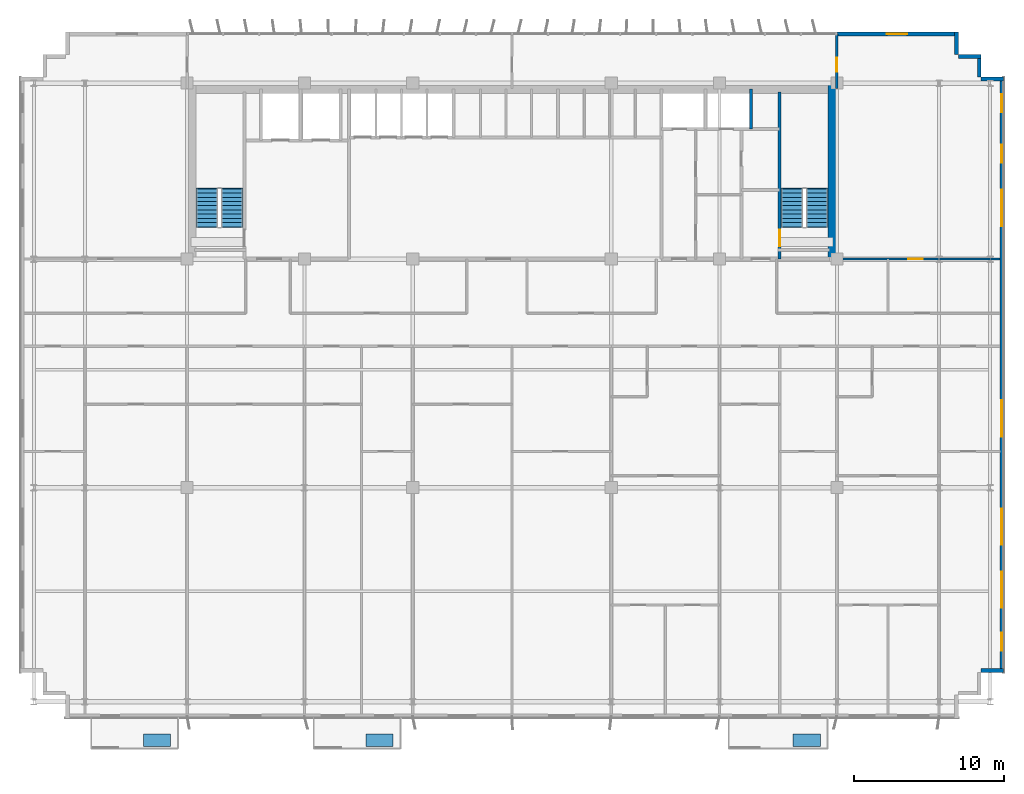
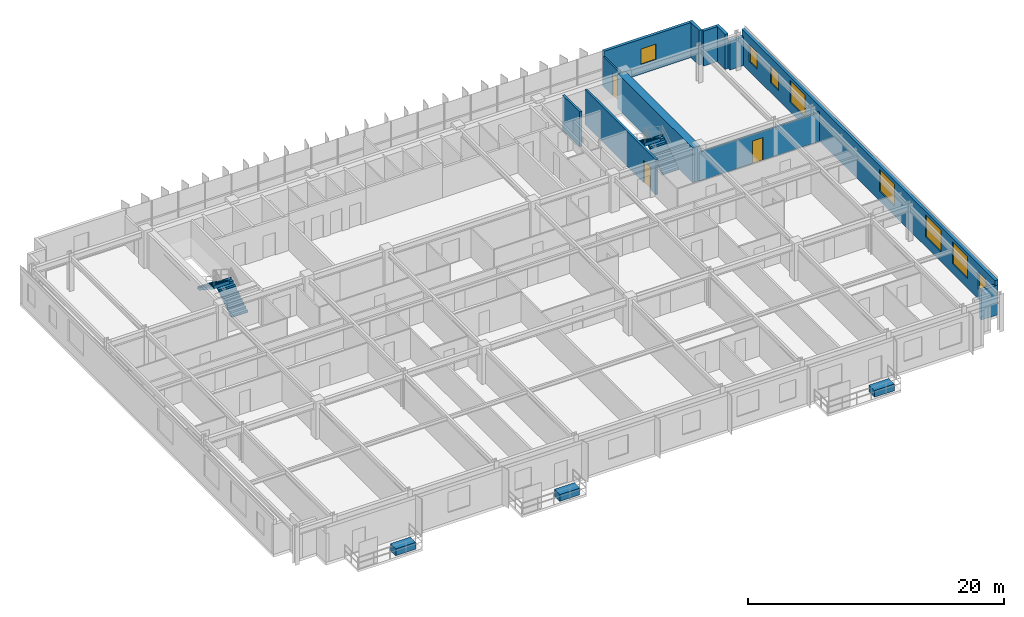
# One storey, part 18 of 21: 12 walls, 8 windows, 4 stair flights, 3 discrete accessories, 3 doors, 11 openings, 2 elements without a shape of their own.
"""IFC4 building model written with IfcOpenShell, lengths in metres."""

from ifc_helpers import new_model, si_unit, direction, frame, frame_2d, origin, origin_2d, place, context, subcontext, project, spatial, polyline, rectangle, outline, extrude, source, transform, mapped, material, layer, layer_set, type_object, element, fill, aggregate, save


model = new_model("IFC4")

# Units and contexts
model_context = context("Model", 3, precision=1e-05, world=origin(), true_north=direction((0.0, 1.0)))
body_context = subcontext(model_context, "Body", "Model", "MODEL_VIEW")
ifc_project = project(units=[si_unit("LENGTHUNIT", "METRE"), si_unit("AREAUNIT", "SQUARE_METRE"), si_unit("VOLUMEUNIT", "CUBIC_METRE"), si_unit("PLANEANGLEUNIT", "RADIAN"), si_unit("MASSUNIT", "GRAM", prefix="KILO")], contexts=[model_context])

# Site, building, storey
site_placement = place(None, origin())
site = spatial("IfcSite", under=ifc_project, at=site_placement, CompositionType="ELEMENT")
building_placement = place(site_placement, origin())
building = spatial("IfcBuilding", under=site, at=building_placement, Name="Trelvane Seafront Commons", CompositionType="ELEMENT")
storey_placement = place(building_placement, frame((0.0, 0.0, 106.89990234375)))
storey = spatial("IfcBuildingStorey", under=building, at=storey_placement, Name="L27", CompositionType="ELEMENT", Elevation=106.89990234375)

# Wall, opening, window
ifc_material_1 = material(Name="Precast concrete C40/50", Category="concrete")
ifc_layer_1 = layer(ifc_material_1, 0.260009765625, Name="ARCH-WALL-EXT260")
ifc_layer_set_1 = layer_set([ifc_layer_1], Name="Precast concrete C40/50")
wall_type_1 = type_object("IfcWallType", Name="ARCH-WALL-EXT260", PredefinedType="SOLIDWALL", material=ifc_layer_set_1)
wall_1_placement = place(storey_placement, frame((58.800048828125, 48.3701171875, 0.0), z_axis=(0.0, 0.0, 1.0), x_axis=(1.0, 0.0, 0.0)))
wall_1 = element("IfcWall", 1, at=wall_1_placement, inside=storey, type_object=wall_type_1, Name="EW-L27-NE-0497", PredefinedType="SOLIDWALL", context=body_context, shape_type="SweptSolid", body=[
    extrude(rectangle(XDim=8.0, YDim=0.260009765625, at=frame_2d((4.0, 0.0))), origin(), (0.0, 0.0, 1.0), 3.340087890625),
])
opening_1_placement = place(wall_1_placement, frame((3.324951171875, 0.0, 0.89990234375)))
opening_1 = element("IfcOpeningElement", 2, at=opening_1_placement, cuts=wall_1, Name="Opening W09", PredefinedType="OPENING", context=body_context, shape_type="SweptSolid", body=[
    extrude(rectangle(XDim=1.35009765625, YDim=1.5, at=frame_2d((0.675048828125, 0.75))), frame((0.0, 0.139892578125, 0.0), z_axis=(0.0, -1.0, 0.0), x_axis=(1.0, 0.0, 0.0)), (0.0, 0.0, 1.0), 0.280029296875),
])
ifc_material_2 = material(Name="Low-E coastal double glazing", Category="glass")
window_type_1 = type_object("IfcWindowType", Name="ARCH-WIN-W09", PartitioningType="SINGLE_PANEL", PredefinedType="WINDOW", material=ifc_material_2)
shared_shape_1 = source(origin(), body_context, "Body", "SweptSolid", [
    extrude(rectangle(XDim=1.35009765625, YDim=1.5, at=frame_2d((0.675048828125, 0.75))), frame((0.0, 0.030029296875, 0.0), z_axis=(0.0, -1.0, 0.0), x_axis=(1.0, 0.0, 0.0)), (0.0, 0.0, 1.0), 0.06005859375),
])
window_1_placement = place(opening_1_placement, origin())
window_1 = element("IfcWindow", 3, at=window_1_placement, inside=storey, type_object=window_type_1, Name="WIN-L27-00586", OverallHeight=1.5, OverallWidth=1.35009765625, PartitioningType="SINGLE_PANEL", PredefinedType="WINDOW", context=body_context, shape_type="MappedRepresentation", body=[
    mapped(shared_shape_1, transform((0.0, 0.0, 0.0), x_axis=(1.0, 0.0, 0.0), y_axis=(0.0, 1.0, 0.0), z_axis=(0.0, 0.0, 1.0), scale=1.0)),
])
fill(opening_1, window_1)

# Walls
for number, where, z_axis, x_axis, name in (
    (4, (66.77001953125, 48.5, 0.0), (0.0, 0.0, 1.0), (0.0, -1.0, 0.0), "EW-L27-00506"),
    (5, (66.89990234375, 46.8701171875, 0.0), (0.0, 0.0, 1.0), (1.0, 0.0, 0.0), "EW-L27-00507"),
    (6, (68.27001953125, 47.0, 0.0), (0.0, 0.0, 1.0), (0.0, -1.0, 0.0), "EW-L27-00508"),
):
    element("IfcWall", number, at=place(storey_placement, frame(where, z_axis=z_axis, x_axis=x_axis)), inside=storey, type_object=wall_type_1, Name=name, PredefinedType="SOLIDWALL", context=body_context, shape_type="SweptSolid", body=[
        extrude(rectangle(XDim=1.5, YDim=0.260009765625, at=frame_2d((0.75, 0.0))), origin(), (0.0, 0.0, 1.0), 3.340087890625),
    ])
wall_2_placement = place(storey_placement, frame((68.39990234375, 45.3701171875, 0.0), z_axis=(0.0, 0.0, 1.0), x_axis=(1.0, 0.0, 0.0)))
element("IfcWall", 7, at=wall_2_placement, inside=storey, type_object=wall_type_1, Name="EW-L27-00509", PredefinedType="SOLIDWALL", context=body_context, shape_type="SweptSolid", body=[
    extrude(rectangle(XDim=1.5, YDim=0.260009765625, at=frame_2d((0.75, 0.0))), origin(), (0.0, 0.0, 1.0), 2.752197265625),
])

# Wall, openings, windows
wall_3_placement = place(storey_placement, frame((69.77001953125, 45.5, 0.0), z_axis=(0.0, 0.0, 1.0), x_axis=(0.0, -1.0, 0.0)))
wall_3 = element("IfcWall", 8, at=wall_3_placement, inside=storey, type_object=wall_type_1, Name="EW-L27-00510", PredefinedType="SOLIDWALL", context=body_context, shape_type="SweptSolid", body=[
    extrude(rectangle(XDim=39.60009765625, YDim=0.260009765625, at=frame_2d((19.800048828125, 0.0))), origin(), (0.0, 0.0, 1.0), 3.340087890625),
])
opening_2_placement = place(wall_3_placement, frame((36.949951171875, 0.0, 0.919921875)))
opening_2 = element("IfcOpeningElement", 9, at=opening_2_placement, cuts=wall_3, Name="Opening W05", PredefinedType="OPENING", context=body_context, shape_type="SweptSolid", body=[
    extrude(rectangle(XDim=1.199951171875, YDim=1.64990234375, at=frame_2d((0.60009765625, 0.824951171875))), frame((0.0, 0.139892578125, 0.0), z_axis=(0.0, -1.0, 0.0), x_axis=(1.0, 0.0, 0.0)), (0.0, 0.0, 1.0), 0.280029296875),
])
opening_3_placement = place(wall_3_placement, frame((32.89990234375, 0.0, 0.919921875)))
opening_3 = element("IfcOpeningElement", 10, at=opening_3_placement, cuts=wall_3, Name="Opening W08", PredefinedType="OPENING", context=body_context, shape_type="SweptSolid", body=[
    extrude(rectangle(XDim=2.39990234375, YDim=2.10009765625, at=frame_2d((1.199951171875, 1.050048828125))), frame((0.0, 0.139892578125, 0.0), z_axis=(0.0, -1.0, 0.0), x_axis=(1.0, 0.0, 0.0)), (0.0, 0.0, 1.0), 0.280029296875),
])
opening_4_placement = place(wall_3_placement, frame((28.699951171875, 0.0, 0.919921875)))
opening_4 = element("IfcOpeningElement", 11, at=opening_4_placement, cuts=wall_3, Name="Opening W08", PredefinedType="OPENING", context=body_context, shape_type="SweptSolid", body=[
    extrude(rectangle(XDim=2.39990234375, YDim=2.10009765625, at=frame_2d((1.199951171875, 1.050048828125))), frame((0.0, 0.139892578125, 0.0), z_axis=(0.0, -1.0, 0.0), x_axis=(1.0, 0.0, 0.0)), (0.0, 0.0, 1.0), 0.280029296875),
])
opening_5_placement = place(wall_3_placement, frame((21.5, 0.0, 0.919921875)))
opening_5 = element("IfcOpeningElement", 12, at=opening_5_placement, cuts=wall_3, Name="Opening W08", PredefinedType="OPENING", context=body_context, shape_type="SweptSolid", body=[
    extrude(rectangle(XDim=2.39990234375, YDim=2.10009765625, at=frame_2d((1.199951171875, 1.050048828125))), frame((0.0, 0.139892578125, 0.0), z_axis=(0.0, -1.0, 0.0), x_axis=(1.0, 0.0, 0.0)), (0.0, 0.0, 1.0), 0.280029296875),
])
opening_6_placement = place(wall_3_placement, frame((7.5, 0.0, 0.919921875)))
opening_6 = element("IfcOpeningElement", 13, at=opening_6_placement, cuts=wall_3, Name="Opening W08", PredefinedType="OPENING", context=body_context, shape_type="SweptSolid", body=[
    extrude(rectangle(XDim=2.39990234375, YDim=2.10009765625, at=frame_2d((1.199951171875, 1.050048828125))), frame((0.0, 0.139892578125, 0.0), z_axis=(0.0, -1.0, 0.0), x_axis=(1.0, 0.0, 0.0)), (0.0, 0.0, 1.0), 0.280029296875),
])
opening_7_placement = place(wall_3_placement, frame((4.5, 0.0, 0.919921875)))
opening_7 = element("IfcOpeningElement", 14, at=opening_7_placement, cuts=wall_3, Name="Opening W05", PredefinedType="OPENING", context=body_context, shape_type="SweptSolid", body=[
    extrude(rectangle(XDim=1.199951171875, YDim=1.64990234375, at=frame_2d((0.60009765625, 0.824951171875))), frame((0.0, 0.139892578125, 0.0), z_axis=(0.0, -1.0, 0.0), x_axis=(1.0, 0.0, 0.0)), (0.0, 0.0, 1.0), 0.280029296875),
])
opening_8_placement = place(wall_3_placement, frame((1.14990234375, 0.0, 0.919921875)))
opening_8 = element("IfcOpeningElement", 15, at=opening_8_placement, cuts=wall_3, Name="Opening W05", PredefinedType="OPENING", context=body_context, shape_type="SweptSolid", body=[
    extrude(rectangle(XDim=1.199951171875, YDim=1.64990234375, at=frame_2d((0.60009765625, 0.824951171875))), frame((0.0, 0.139892578125, 0.0), z_axis=(0.0, -1.0, 0.0), x_axis=(1.0, 0.0, 0.0)), (0.0, 0.0, 1.0), 0.280029296875),
])
window_type_2 = type_object("IfcWindowType", Name="ARCH-WIN-W08", PartitioningType="SINGLE_PANEL", PredefinedType="WINDOW", material=ifc_material_2)
shared_shape_2 = source(origin(), body_context, "Body", "SweptSolid", [
    extrude(rectangle(XDim=2.39990234375, YDim=2.10009765625, at=frame_2d((1.199951171875, 1.050048828125))), frame((0.0, 0.030029296875, 0.0), z_axis=(0.0, -1.0, 0.0), x_axis=(1.0, 0.0, 0.0)), (0.0, 0.0, 1.0), 0.06005859375),
])
window_2_placement = place(opening_3_placement, origin())
window_2 = element("IfcWindow", 16, at=window_2_placement, inside=storey, type_object=window_type_2, Name="WIN-L27-EW-00595", OverallHeight=2.10009765625, OverallWidth=2.39990234375, PartitioningType="SINGLE_PANEL", PredefinedType="WINDOW", context=body_context, shape_type="MappedRepresentation", body=[
    mapped(shared_shape_2, transform((0.0, 0.0, 0.0), x_axis=(1.0, 0.0, 0.0), y_axis=(0.0, 1.0, 0.0), z_axis=(0.0, 0.0, 1.0), scale=1.0)),
])
fill(opening_3, window_2)
window_3_placement = place(opening_4_placement, origin())
window_3 = element("IfcWindow", 17, at=window_3_placement, inside=storey, type_object=window_type_2, Name="WIN-L27-EW-00596", OverallHeight=2.10009765625, OverallWidth=2.39990234375, PartitioningType="SINGLE_PANEL", PredefinedType="WINDOW", context=body_context, shape_type="MappedRepresentation", body=[
    mapped(shared_shape_2, transform((0.0, 0.0, 0.0), x_axis=(1.0, 0.0, 0.0), y_axis=(0.0, 1.0, 0.0), z_axis=(0.0, 0.0, 1.0), scale=1.0)),
])
fill(opening_4, window_3)
window_4_placement = place(opening_5_placement, origin())
window_4 = element("IfcWindow", 18, at=window_4_placement, inside=storey, type_object=window_type_2, Name="WIN-L27-EW-00597", OverallHeight=2.10009765625, OverallWidth=2.39990234375, PartitioningType="SINGLE_PANEL", PredefinedType="WINDOW", context=body_context, shape_type="MappedRepresentation", body=[
    mapped(shared_shape_2, transform((0.0, 0.0, 0.0), x_axis=(1.0, 0.0, 0.0), y_axis=(0.0, 1.0, 0.0), z_axis=(0.0, 0.0, 1.0), scale=1.0)),
])
fill(opening_5, window_4)
window_5_placement = place(opening_6_placement, origin())
window_5 = element("IfcWindow", 19, at=window_5_placement, inside=storey, type_object=window_type_2, Name="WIN-L27-EW-00598", OverallHeight=2.10009765625, OverallWidth=2.39990234375, PartitioningType="SINGLE_PANEL", PredefinedType="WINDOW", context=body_context, shape_type="MappedRepresentation", body=[
    mapped(shared_shape_2, transform((0.0, 0.0, 0.0), x_axis=(1.0, 0.0, 0.0), y_axis=(0.0, 1.0, 0.0), z_axis=(0.0, 0.0, 1.0), scale=1.0)),
])
fill(opening_6, window_5)
window_type_3 = type_object("IfcWindowType", Name="ARCH-WIN-W05", PartitioningType="SINGLE_PANEL", PredefinedType="WINDOW", material=ifc_material_2)
shared_shape_3 = source(origin(), body_context, "Body", "SweptSolid", [
    extrude(rectangle(XDim=1.199951171875, YDim=1.64990234375, at=frame_2d((0.60009765625, 0.824951171875))), frame((0.0, 0.030029296875, 0.0), z_axis=(0.0, -1.0, 0.0), x_axis=(1.0, 0.0, 0.0)), (0.0, 0.0, 1.0), 0.06005859375),
])
window_6_placement = place(opening_2_placement, origin())
window_6 = element("IfcWindow", 20, at=window_6_placement, inside=storey, type_object=window_type_3, Name="WIN-L27-EW-00594", OverallHeight=1.64990234375, OverallWidth=1.199951171875, PartitioningType="SINGLE_PANEL", PredefinedType="WINDOW", context=body_context, shape_type="MappedRepresentation", body=[
    mapped(shared_shape_3, transform((0.0, 0.0, 0.0), x_axis=(1.0, 0.0, 0.0), y_axis=(0.0, 1.0, 0.0), z_axis=(0.0, 0.0, 1.0), scale=1.0)),
])
fill(opening_2, window_6)
window_7_placement = place(opening_7_placement, origin())
window_7 = element("IfcWindow", 21, at=window_7_placement, inside=storey, type_object=window_type_3, Name="WIN-L27-EW-00599", OverallHeight=1.64990234375, OverallWidth=1.199951171875, PartitioningType="SINGLE_PANEL", PredefinedType="WINDOW", context=body_context, shape_type="MappedRepresentation", body=[
    mapped(shared_shape_3, transform((0.0, 0.0, 0.0), x_axis=(1.0, 0.0, 0.0), y_axis=(0.0, 1.0, 0.0), z_axis=(0.0, 0.0, 1.0), scale=1.0)),
])
fill(opening_7, window_7)
window_8_placement = place(opening_8_placement, origin())
window_8 = element("IfcWindow", 22, at=window_8_placement, inside=storey, type_object=window_type_3, Name="WIN-L27-EW-00600", OverallHeight=1.64990234375, OverallWidth=1.199951171875, PartitioningType="SINGLE_PANEL", PredefinedType="WINDOW", context=body_context, shape_type="MappedRepresentation", body=[
    mapped(shared_shape_3, transform((0.0, 0.0, 0.0), x_axis=(1.0, 0.0, 0.0), y_axis=(0.0, 1.0, 0.0), z_axis=(0.0, 0.0, 1.0), scale=1.0)),
])
fill(opening_8, window_8)

# Wall
wall_4_placement = place(storey_placement, frame((69.89990234375, 6.030029296875, 0.0), z_axis=(0.0, 0.0, 1.0), x_axis=(-1.0, 0.0, 0.0)))
element("IfcWall", 23, at=wall_4_placement, inside=storey, type_object=wall_type_1, Name="EW-L27-00511", PredefinedType="SOLIDWALL", context=body_context, shape_type="SweptSolid", body=[
    extrude(rectangle(XDim=1.5, YDim=0.260009765625, at=frame_2d((0.75, 0.0))), origin(), (0.0, 0.0, 1.0), 2.840087890625),
])

# Wall, opening, door
ifc_material_3 = material(Name="Gypsum Drywall Acoustic Partition")
ifc_layer_2 = layer(ifc_material_3, 0.14990234375, Name="ARCH-WALL-PART150")
ifc_layer_set_2 = layer_set([ifc_layer_2], Name="Gypsum Drywall Acoustic Partition")
wall_type_2 = type_object("IfcWallType", Name="ARCH-WALL-PART150", PredefinedType="PARTITIONING", material=ifc_layer_set_2)
wall_5_placement = place(storey_placement, frame((58.800048828125, 33.39990234375, 0.0), z_axis=(0.0, 0.0, 1.0), x_axis=(1.0, 0.0, 0.0)))
wall_5 = element("IfcWall", 24, at=wall_5_placement, inside=storey, type_object=wall_type_2, Name="W-L27-NE-ENT-050", PredefinedType="PARTITIONING", context=body_context, shape_type="SweptSolid", body=[
    extrude(rectangle(XDim=10.849853515625, YDim=0.14990234375, at=frame_2d((5.4248046875, 0.0))), origin(), (0.0, 0.0, 1.0), 2.752197265625),
])
opening_9_placement = place(wall_5_placement, frame((4.760009765625, 0.0, 0.0)))
opening_9 = element("IfcOpeningElement", 25, at=opening_9_placement, cuts=wall_5, Name="Opening FD-L27-24", PredefinedType="OPENING", context=body_context, shape_type="SweptSolid", body=[
    extrude(rectangle(XDim=0.949951171875, YDim=2.14990234375, at=frame_2d((0.47509765625, 1.074951171875))), frame((0.0, 0.0849609375, 0.0), z_axis=(0.0, -1.0, 0.0), x_axis=(1.0, 0.0, 0.0)), (0.0, 0.0, 1.0), 0.169921875),
])
ifc_material_4 = material(Name="Powder-coated aluminium frame", Category="aluminium")
door_type_1 = type_object("IfcDoorType", Name="ARCH-DR-FD60-950", OperationType="NOTDEFINED", PredefinedType="DOOR", material=ifc_material_4)
shared_shape_4 = source(origin(), body_context, "Body", "SweptSolid", [
    extrude(rectangle(XDim=0.949951171875, YDim=2.14990234375, at=frame_2d((0.47509765625, 1.074951171875))), frame((0.0, 0.02490234375, 0.0), z_axis=(0.0, -1.0, 0.0), x_axis=(1.0, 0.0, 0.0)), (0.0, 0.0, 1.0), 0.050048828125),
])
door_1_placement = place(opening_9_placement, origin())
door_1 = element("IfcDoor", 26, at=door_1_placement, inside=storey, type_object=door_type_1, Name="L27 NE Suite Entrance Door", OperationType="SINGLE_SWING_RIGHT", OverallHeight=2.14990234375, OverallWidth=0.949951171875, PredefinedType="DOOR", context=body_context, shape_type="MappedRepresentation", body=[
    mapped(shared_shape_4, transform((0.0, 0.0, 0.0), x_axis=(1.0, 0.0, 0.0), y_axis=(0.0, 1.0, 0.0), z_axis=(0.0, 0.0, 1.0), scale=1.0)),
])
fill(opening_9, door_1)

wall_6_placement = place(storey_placement, frame((58.800048828125, 44.75, 0.0), z_axis=(0.0, 0.0, 1.0), x_axis=(0.0, 1.0, 0.0)))
wall_6 = element("IfcWall", 27, at=wall_6_placement, inside=storey, type_object=wall_type_2, Name="W-L27-N-LINK-E-053", PredefinedType="PARTITIONING", context=body_context, shape_type="SweptSolid", body=[
    extrude(rectangle(XDim=3.610107421875, YDim=0.14990234375, at=frame_2d((1.80517578125, 0.0))), origin(), (0.0, 0.0, 1.0), 2.840087890625),
])
opening_10_placement = place(wall_6_placement, frame((1.10009765625, 0.0, 0.0)))
opening_10 = element("IfcOpeningElement", 28, at=opening_10_placement, cuts=wall_6, Name="Opening FD-L27-27", PredefinedType="OPENING", context=body_context, shape_type="SweptSolid", body=[
    extrude(rectangle(XDim=0.949951171875, YDim=2.14990234375, at=frame_2d((0.47509765625, 1.074951171875))), frame((0.0, 0.0849609375, 0.0), z_axis=(0.0, -1.0, 0.0), x_axis=(1.0, 0.0, 0.0)), (0.0, 0.0, 1.0), 0.169921875),
])
door_2_placement = place(opening_10_placement, origin())
door_2 = element("IfcDoor", 29, at=door_2_placement, inside=storey, type_object=door_type_1, Name="L27 Door 27", OperationType="SINGLE_SWING_LEFT", OverallHeight=2.14990234375, OverallWidth=0.949951171875, PredefinedType="DOOR", context=body_context, shape_type="MappedRepresentation", body=[
    mapped(shared_shape_4, transform((0.0, 0.0, 0.0), x_axis=(1.0, 0.0, 0.0), y_axis=(0.0, 1.0, 0.0), z_axis=(0.0, 0.0, 1.0), scale=1.0)),
])
fill(opening_10, door_2)

# Walls
ifc_material_5 = material(Name="Concrete C40/50", Category="concrete")
ifc_layer_3 = layer(ifc_material_5, 0.199951171875, Name="ARCH-WALL-SHAFT200")
ifc_layer_set_3 = layer_set([ifc_layer_3], Name="Concrete C40/50")
wall_type_3 = type_object("IfcWallType", Name="ARCH-WALL-SHAFT200", PredefinedType="SOLIDWALL", material=ifc_layer_set_3)
wall_7_placement = place(storey_placement, frame((53.10009765625, 42.050048828125, 0.0), z_axis=(0.0, 0.0, 1.0), x_axis=(0.0, 1.0, 0.0)))
element("IfcWall", 30, at=wall_7_placement, inside=storey, type_object=wall_type_3, Name="W-L27-RSR-E-032", PredefinedType="SOLIDWALL", context=body_context, shape_type="SweptSolid", body=[
    extrude(rectangle(XDim=2.64990234375, YDim=0.199951171875, at=frame_2d((1.324951171875, 0.0))), origin(), (0.0, 0.0, 1.0), 3.340087890625),
])
ifc_material_6 = material(Name="Concrete C60/75", Category="concrete")
ifc_layer_4 = layer(ifc_material_6, 0.699951171875, Name="STR-WALL-CORE700")
ifc_layer_set_4 = layer_set([ifc_layer_4], Name="Concrete C60/75")
wall_type_4 = type_object("IfcWallType", Name="STR-WALL-CORE700", PredefinedType="SHEAR", material=ifc_layer_set_4)
wall_8_placement = place(storey_placement, frame((58.550048828125, 33.39990234375, 0.0), z_axis=(0.0, 0.0, 1.0), x_axis=(0.0, 1.0, 0.0)))
element("IfcWall", 31, at=wall_8_placement, inside=storey, type_object=wall_type_4, Name="W-L27-CE-END-003", PredefinedType="SHEAR", context=body_context, shape_type="SweptSolid", body=[
    extrude(rectangle(XDim=11.7001953125, YDim=0.699951171875, at=frame_2d((5.85009765625, 0.0))), origin(), (0.0, 0.0, 1.0), 3.340087890625),
])

# Wall, opening, door
ifc_material_7 = material(Name="Concrete C50/60", Category="concrete")
ifc_layer_5 = layer(ifc_material_7, 0.199951171875, Name="STR-WALL-STAIR200")
ifc_layer_set_5 = layer_set([ifc_layer_5], Name="Concrete C50/60")
wall_type_5 = type_object("IfcWallType", Name="STR-WALL-STAIR200", PredefinedType="SHEAR", material=ifc_layer_set_5)
wall_9_placement = place(storey_placement, frame((55.0, 33.39990234375, 0.0), z_axis=(0.0, 0.0, 1.0), x_axis=(0.0, 1.0, 0.0)))
wall_9 = element("IfcWall", 32, at=wall_9_placement, inside=storey, type_object=wall_type_5, Name="W-L27-ST2-W-007", PredefinedType="SHEAR", context=body_context, shape_type="SweptSolid", body=[
    extrude(rectangle(XDim=11.10009765625, YDim=0.199951171875, at=frame_2d((5.550048828125, 0.0))), origin(), (0.0, 0.0, 1.0), 3.340087890625),
])
opening_11_placement = place(wall_9_placement, frame((0.85009765625, 0.0, 0.0)))
opening_11 = element("IfcOpeningElement", 33, at=opening_11_placement, cuts=wall_9, Name="Opening ST-D2-L27", PredefinedType="OPENING", context=body_context, shape_type="SweptSolid", body=[
    extrude(rectangle(XDim=1.10009765625, YDim=2.14990234375, at=frame_2d((0.550048828125, 1.074951171875))), frame((0.0, 0.10986328125, 0.0), z_axis=(0.0, -1.0, 0.0), x_axis=(1.0, 0.0, 0.0)), (0.0, 0.0, 1.0), 0.219970703125),
])
door_type_2 = type_object("IfcDoorType", Name="ARCH-DR-FD90-1100", OperationType="NOTDEFINED", PredefinedType="DOOR", material=ifc_material_4)
shared_shape_5 = source(origin(), body_context, "Body", "SweptSolid", [
    extrude(rectangle(XDim=1.10009765625, YDim=2.14990234375, at=frame_2d((0.550048828125, 1.074951171875))), frame((0.0, 0.02490234375, 0.0), z_axis=(0.0, -1.0, 0.0), x_axis=(1.0, 0.0, 0.0)), (0.0, 0.0, 1.0), 0.050048828125),
])
door_3_placement = place(opening_11_placement, origin())
door_3 = element("IfcDoor", 34, at=door_3_placement, inside=storey, type_object=door_type_2, Name="L27 Stair ST-2 Vestibule Fire Door", OperationType="SINGLE_SWING_RIGHT", OverallHeight=2.14990234375, OverallWidth=1.10009765625, PredefinedType="DOOR", context=body_context, shape_type="MappedRepresentation", body=[
    mapped(shared_shape_5, transform((0.0, 0.0, 0.0), x_axis=(1.0, 0.0, 0.0), y_axis=(0.0, 1.0, 0.0), z_axis=(0.0, 0.0, 1.0), scale=1.0)),
])
fill(opening_11, door_3)

# Stair, stair flights
stair_type_1 = type_object("IfcStairType", Name="ARCH-STR-ST-1-R20-180", PredefinedType="HALF_TURN_STAIR", material=ifc_material_5)
stair_1_placement = place(storey_placement, origin())
stair_1 = element("IfcStair", 35, at=stair_1_placement, inside=storey, type_object=stair_type_1, Name="L27 West Protected Firefighting Exit Stair ST-1", PredefinedType="HALF_TURN_STAIR")
stair_flight_type_1 = type_object("IfcStairFlightType", Name="ARCH-FLG-ST-1-R20-180", PredefinedType="STRAIGHT", material=ifc_material_5)
shared_shape_6 = source(origin(), body_context, "Body", "SweptSolid", [
    extrude(outline(polyline([(-0.050048828125, -0.02001953125), (-0.050048828125, 0.0), (0.0, 0.0), (0.0, 0.179931640625), (0.280029296875, 0.179931640625), (0.280029296875, 0.360107421875), (0.56005859375, 0.360107421875), (0.56005859375, 0.5400390625), (0.840087890625, 0.5400390625), (0.840087890625, 0.719970703125), (1.1201171875, 0.719970703125), (1.1201171875, 0.89990234375), (1.39990234375, 0.89990234375), (1.39990234375, 1.080078125), (1.679931640625, 1.080078125), (1.679931640625, 1.260009765625), (1.9599609375, 1.260009765625), (1.9599609375, 1.43994140625), (2.239990234375, 1.43994140625), (2.239990234375, 1.6201171875), (2.52001953125, 1.6201171875), (2.52001953125, 1.800048828125), (2.570068359375, 1.800048828125), (2.570068359375, 1.650146484375), (2.52001953125, 1.44189453125), (0.277099609375, -0.02001953125), (-0.050048828125, -0.02001953125)])), frame((0.0, 0.72509765625, 0.0), z_axis=(0.0, -1.0, 0.0), x_axis=(1.0, 0.0, 0.0)), (0.0, 0.0, 1.0), 1.449951171875),
])
stair_flight_1_placement = place(storey_placement, frame((18.574951171875, 35.550048828125, 0.0), z_axis=(0.0, 0.0, 1.0), x_axis=(0.0, 1.0, 0.0)))
stair_flight_1 = element("IfcStairFlight", 36, at=stair_flight_1_placement, type_object=stair_flight_type_1, Name="ST-1 flight 1", NumberOfRisers=10, NumberOfTreads=9, PredefinedType="STRAIGHT", RiserHeight=0.18, TreadLength=0.28, context=body_context, shape_type="MappedRepresentation", body=[
    mapped(shared_shape_6, transform((0.0, 0.0, 0.0), x_axis=(1.0, 0.0, 0.0), y_axis=(0.0, 1.0, 0.0), z_axis=(0.0, 0.0, 1.0), scale=1.0)),
])
stair_flight_2_placement = place(storey_placement, frame((16.925048828125, 38.070068359375, 1.800048828125), z_axis=(0.0, 0.0, 1.0), x_axis=(0.0, -1.0, 0.0)))
stair_flight_2 = element("IfcStairFlight", 37, at=stair_flight_2_placement, type_object=stair_flight_type_1, Name="ST-1 flight 2", NumberOfRisers=10, NumberOfTreads=9, PredefinedType="STRAIGHT", RiserHeight=0.18, TreadLength=0.28, context=body_context, shape_type="MappedRepresentation", body=[
    mapped(shared_shape_6, transform((0.0, 0.0, 0.0), x_axis=(1.0, 0.0, 0.0), y_axis=(0.0, 1.0, 0.0), z_axis=(0.0, 0.0, 1.0), scale=1.0)),
])
aggregate(stair_1, [stair_flight_1, stair_flight_2])

stair_type_2 = type_object("IfcStairType", Name="ARCH-STR-ST-2-R20-180", PredefinedType="HALF_TURN_STAIR", material=ifc_material_5)
stair_2_placement = place(storey_placement, origin())
stair_2 = element("IfcStair", 38, at=stair_2_placement, inside=storey, type_object=stair_type_2, Name="L27 East Protected Firefighting Exit Stair ST-2", PredefinedType="HALF_TURN_STAIR")
stair_flight_type_2 = type_object("IfcStairFlightType", Name="ARCH-FLG-ST-2-R20-180", PredefinedType="STRAIGHT", material=ifc_material_5)
stair_flight_3_placement = place(storey_placement, frame((57.47509765625, 35.550048828125, 0.0), z_axis=(0.0, 0.0, 1.0), x_axis=(0.0, 1.0, 0.0)))
stair_flight_3 = element("IfcStairFlight", 39, at=stair_flight_3_placement, type_object=stair_flight_type_2, Name="ST-2 flight 1", NumberOfRisers=10, NumberOfTreads=9, PredefinedType="STRAIGHT", RiserHeight=0.18, TreadLength=0.28, context=body_context, shape_type="MappedRepresentation", body=[
    mapped(shared_shape_6, transform((0.0, 0.0, 0.0), x_axis=(1.0, 0.0, 0.0), y_axis=(0.0, 1.0, 0.0), z_axis=(0.0, 0.0, 1.0), scale=1.0)),
])
stair_flight_4_placement = place(storey_placement, frame((55.824951171875, 38.070068359375, 1.800048828125), z_axis=(0.0, 0.0, 1.0), x_axis=(0.0, -1.0, 0.0)))
stair_flight_4 = element("IfcStairFlight", 40, at=stair_flight_4_placement, type_object=stair_flight_type_2, Name="ST-2 flight 2", NumberOfRisers=10, NumberOfTreads=9, PredefinedType="STRAIGHT", RiserHeight=0.18, TreadLength=0.28, context=body_context, shape_type="MappedRepresentation", body=[
    mapped(shared_shape_6, transform((0.0, 0.0, 0.0), x_axis=(1.0, 0.0, 0.0), y_axis=(0.0, 1.0, 0.0), z_axis=(0.0, 0.0, 1.0), scale=1.0)),
])
aggregate(stair_2, [stair_flight_3, stair_flight_4])

# Discrete accessories
discrete_accessory_type = type_object("IfcDiscreteAccessoryType", Name="ARCH-ACC-PLANTER", PredefinedType="USERDEFINED", material=ifc_material_1)
shared_shape_7 = source(origin(), body_context, "Body", "SweptSolid", [
    extrude(rectangle(XDim=1.800048828125, YDim=0.85009765625, at=origin_2d()), origin(), (0.0, 0.0, 1.0), 0.64990234375),
])
for number, where, z_axis, x_axis, name in (
    (41, (13.60009765625, 1.39990234375, 0.000244140625), (0.0, 0.0, 1.0), (1.0, 0.0, 0.0), "PLN-L27-B0-030"),
    (42, (28.39990234375, 1.39990234375, 0.000244140625), (0.0, 0.0, 1.0), (1.0, 0.0, 0.0), "PLN-L27-B1-031"),
    (43, (56.800048828125, 1.39990234375, 0.000244140625), (0.0, 0.0, 1.0), (1.0, 0.0, 0.0), "PLN-L27-B2-032"),
):
    element("IfcDiscreteAccessory", number, at=place(storey_placement, frame(where, z_axis=z_axis, x_axis=x_axis)), inside=storey, type_object=discrete_accessory_type, Name=name, ObjectType="BALCONY TREE PLANTER", PredefinedType="USERDEFINED", context=body_context, shape_type="MappedRepresentation", body=[
        mapped(shared_shape_7, transform((0.0, 0.0, 0.0), x_axis=(1.0, 0.0, 0.0), y_axis=(0.0, 1.0, 0.0), z_axis=(0.0, 0.0, 1.0), scale=1.0)),
    ])

save(model, "model.ifc")
